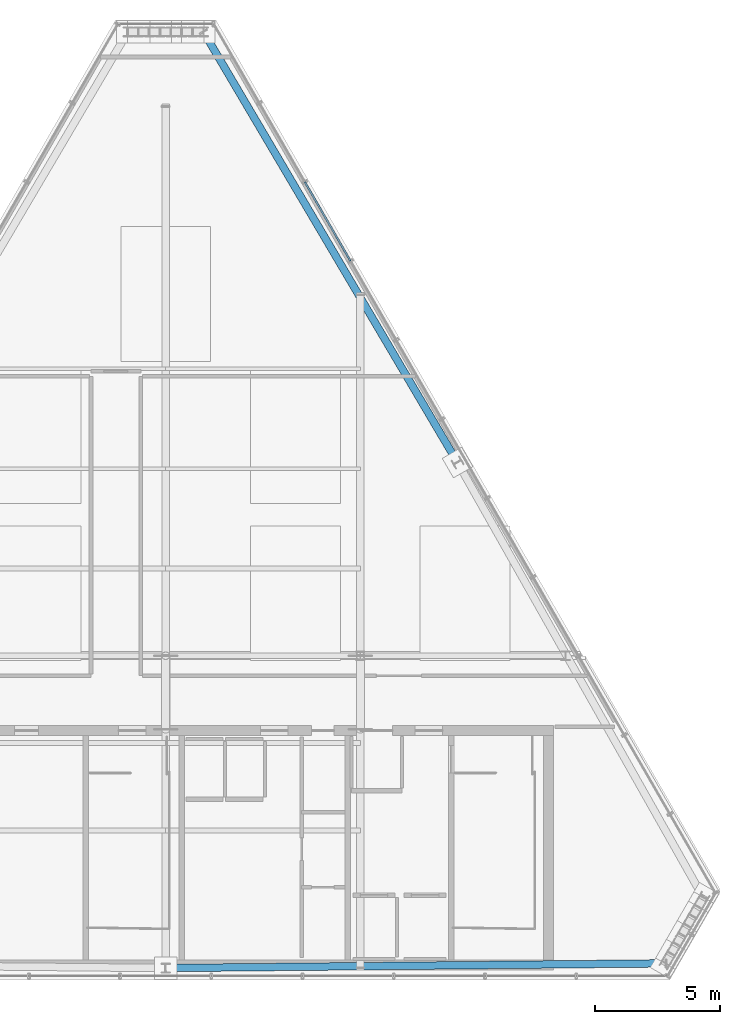
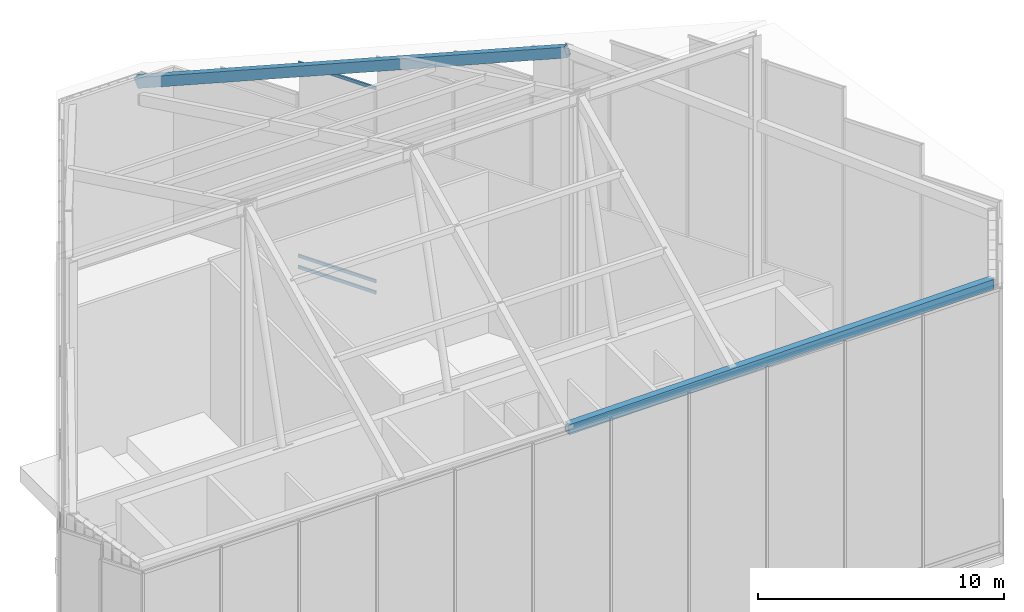
# One storey, part 22 of 36: 5 members, 1 element without a shape of its own.
"""IFC4 building model written with IfcOpenShell, lengths in metres."""

from ifc_helpers import new_model, si_unit, direction, frame, origin, origin_2d, place, context, subcontext, project, spatial, hollow_rectangle, extrude, material, layer, layer_set, material_profile, profile_set, type_object, element, aggregate, save


model = new_model("IFC4")

# Units and contexts
model_context = context("Model", 3, precision=1e-05, world=origin(), true_north=direction((0.0, 1.0)))
body_context = subcontext(model_context, "Body", "Model", "MODEL_VIEW")
ifc_project = project(units=[si_unit("LENGTHUNIT", "METRE"), si_unit("AREAUNIT", "SQUARE_METRE"), si_unit("VOLUMEUNIT", "CUBIC_METRE"), si_unit("PLANEANGLEUNIT", "RADIAN"), si_unit("MASSUNIT", "GRAM", prefix="KILO")], contexts=[model_context])

# Site, building, storey
site_placement = place(None, origin())
site = spatial("IfcSite", under=ifc_project, at=site_placement, CompositionType="ELEMENT")
building_placement = place(site_placement, origin())
building = spatial("IfcBuilding", under=site, at=building_placement, Name="Ndaravel Arena Tower", CompositionType="ELEMENT")
storey_placement = place(building_placement, frame((0.0, 0.0, 308.10009765625)))
storey = spatial("IfcBuildingStorey", under=building, at=storey_placement, Name="Roof Crown", CompositionType="ELEMENT", Elevation=308.10009765625)

# Members
ifc_material_1 = material(Name="Steel S355", Category="steel")
ifc_material_profile_1 = material_profile(ifc_material_1, hollow_rectangle(XDim=0.300048828125, YDim=0.5, WallThickness=0.02001953125, at=origin_2d()), Name="RHS 500x300x20")
ifc_profile_set_1 = profile_set([ifc_material_profile_1], Name="Steel S355")
member_type_1 = type_object("IfcMemberType", Name="MEM-CRN-RAFTER", PredefinedType="RAFTER", material=ifc_profile_set_1)
member_1_placement = place(storey_placement, frame((42.0, 5.47998046875, 13.093994140625), z_axis=(0.999945622581, 0.009368513064, 0.004580703397), x_axis=(-0.009368611354, 0.999956113598, 0.0)))
element("IfcMember", 1, at=member_1_placement, inside=storey, type_object=member_type_1, Name="Crown Eaves Ring Member CER-01", PredefinedType="RAFTER", context=body_context, shape_type="SweptSolid", body=[
    extrude(hollow_rectangle(XDim=0.300048828125, YDim=0.5, WallThickness=0.02001953125, at=origin_2d()), origin(), (0.0, 0.0, 1.0), 20.039794921875),
])
member_2_placement = place(storey_placement, frame((53.7001953125, 25.745361328125, 15.4228515625), z_axis=(-0.468436415705, 0.794078630407, -0.38730666554), x_axis=(-0.861302473687, -0.508092559304, 0.0)))
element("IfcMember", 2, at=member_2_placement, inside=storey, type_object=member_type_1, Name="Crown Eaves Ring Member CER-10", PredefinedType="RAFTER", context=body_context, shape_type="SweptSolid", body=[
    extrude(hollow_rectangle(XDim=0.300048828125, YDim=0.5, WallThickness=0.02001953125, at=origin_2d()), origin(), (0.0, 0.0, 1.0), 21.73583984375),
])

# Curtain wall, members
ifc_material_2 = material(Name="Aluminium", Category="aluminium")
ifc_layer = layer(ifc_material_2, 0.179931640625)
ifc_layer_set = layer_set([ifc_layer], Name="Aluminium")
curtain_wall_type = type_object("IfcCurtainWallType", Name="CW-SYS-06", PredefinedType="NOTDEFINED", material=ifc_layer_set)
curtain_wall_placement = place(storey_placement, origin())
curtain_wall = element("IfcCurtainWall", 3, at=curtain_wall_placement, inside=storey, type_object=curtain_wall_type, Name="Roof Crown Sloped Crown Lantern Curtain Wall CW-CROWN-E03-S09", PredefinedType="NOTDEFINED")
ifc_material_3 = material(Name="Aluminium", Category="aluminium")
ifc_material_profile_2 = material_profile(ifc_material_3, hollow_rectangle(XDim=0.074951171875, YDim=0.14990234375, WallThickness=0.00390625, at=origin_2d()), Name="CW TRANSOM 75x150x4")
ifc_profile_set_2 = profile_set([ifc_material_profile_2], Name="Aluminium")
member_type_2 = type_object("IfcMemberType", Name="MEM-CW-TRN150", PredefinedType="USERDEFINED", material=ifc_profile_set_2)
member_3_placement = place(storey_placement, frame((49.40576171875, 33.823486328125, 0.039794921875), z_axis=(-0.500001750229, 0.866024393287, 0.0), x_axis=(-0.866024393287, -0.500001750229, 0.0)))
member_3 = element("IfcMember", 4, at=member_3_placement, type_object=member_type_2, Name="CW-CROWN-E03-S09 Transom 01", ObjectType="TRANSOM", PredefinedType="USERDEFINED", context=body_context, shape_type="SweptSolid", body=[
    extrude(hollow_rectangle(XDim=0.074951171875, YDim=0.14990234375, WallThickness=0.00390625, at=origin_2d()), origin(), (0.0, 0.0, 1.0), 3.6572265625),
])
member_4_placement = place(storey_placement, frame((49.40576171875, 33.823486328125, 0.599853515625), z_axis=(-0.500001750229, 0.866024393287, 0.0), x_axis=(-0.866024393287, -0.500001750229, 0.0)))
member_4 = element("IfcMember", 5, at=member_4_placement, type_object=member_type_2, Name="CW-CROWN-E03-S09 Transom 02", ObjectType="TRANSOM", PredefinedType="USERDEFINED", context=body_context, shape_type="SweptSolid", body=[
    extrude(hollow_rectangle(XDim=0.074951171875, YDim=0.14990234375, WallThickness=0.00390625, at=origin_2d()), origin(), (0.0, 0.0, 1.0), 3.6572265625),
])
member_5_placement = place(storey_placement, frame((49.40576171875, 33.823486328125, 10.168212890625), z_axis=(-0.500001750229, 0.866024393287, 0.0), x_axis=(-0.866024393287, -0.500001750229, 0.0)))
member_5 = element("IfcMember", 6, at=member_5_placement, type_object=member_type_2, Name="CW-CROWN-E03-S09 Transom 03", ObjectType="TRANSOM", PredefinedType="USERDEFINED", context=body_context, shape_type="SweptSolid", body=[
    extrude(hollow_rectangle(XDim=0.074951171875, YDim=0.14990234375, WallThickness=0.00390625, at=origin_2d()), origin(), (0.0, 0.0, 1.0), 3.6572265625),
])
aggregate(curtain_wall, [member_3, member_4, member_5])

save(model, "model.ifc")
